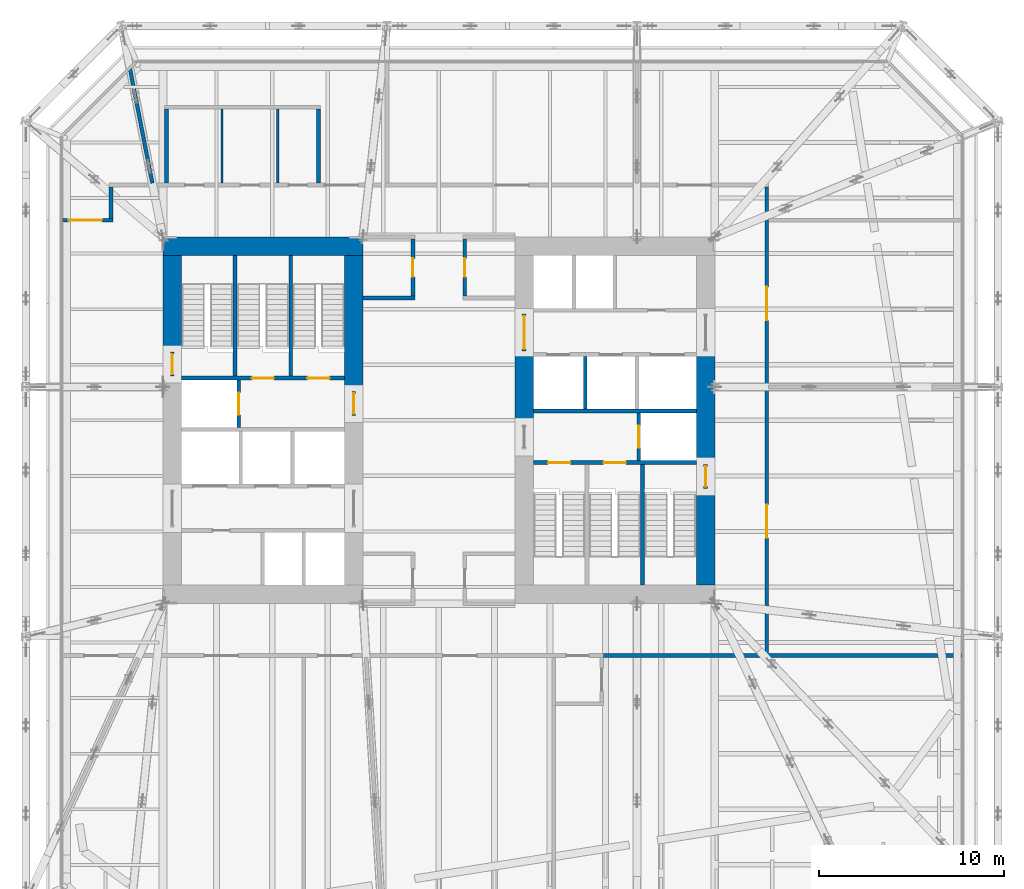
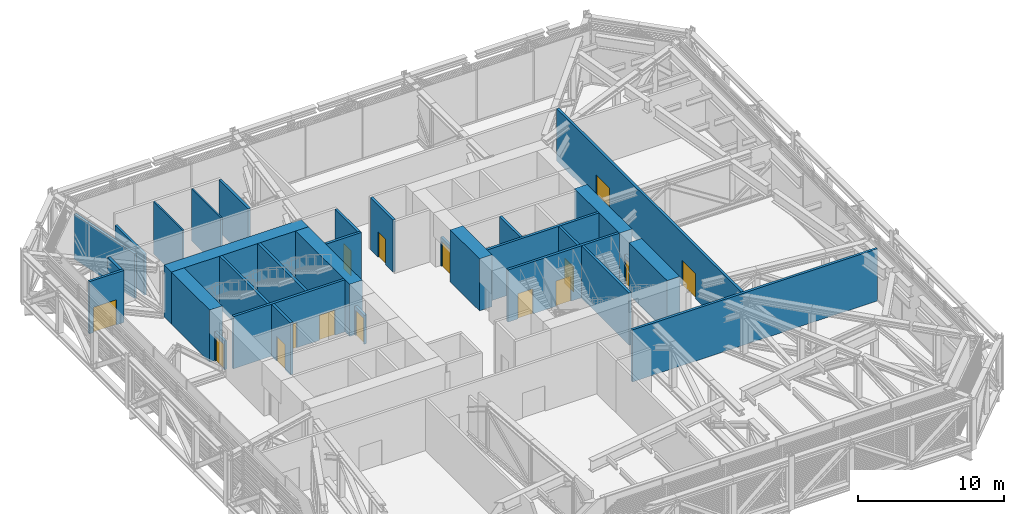
# One storey, part 22 of 31: 31 walls, 15 doors, 15 openings.
"""IFC4 building model written with IfcOpenShell, lengths in metres."""

from ifc_helpers import new_model, si_unit, direction, frame, frame_2d, origin, place, context, subcontext, project, spatial, rectangle, extrude, material, layer, layer_set, type_object, element, fill, save


model = new_model("IFC4")

# Units and contexts
model_context = context("Model", 3, precision=1e-05, world=origin(), true_north=direction((0.0, 1.0)))
body_context = subcontext(model_context, "Body", "Model", "MODEL_VIEW")
ifc_project = project(units=[si_unit("LENGTHUNIT", "METRE"), si_unit("AREAUNIT", "SQUARE_METRE"), si_unit("VOLUMEUNIT", "CUBIC_METRE"), si_unit("PLANEANGLEUNIT", "RADIAN"), si_unit("MASSUNIT", "GRAM", prefix="KILO")], contexts=[model_context])

# Site, building, storey
site_placement = place(None, origin())
site = spatial("IfcSite", under=ifc_project, at=site_placement, CompositionType="ELEMENT")
building_placement = place(site_placement, origin())
building = spatial("IfcBuilding", under=site, at=building_placement, Name="Millrace Tower", CompositionType="ELEMENT")
storey_placement = place(building_placement, frame((0.0, 0.0, 120.39990234375)))
storey = spatial("IfcBuildingStorey", under=building, at=storey_placement, Name="L26", CompositionType="ELEMENT", Elevation=120.39990234375)

# Walls
ifc_material_1 = material(Name="Concrete C80", Category="concrete")
ifc_layer_1 = layer(ifc_material_1, 1.0)
ifc_layer_set_1 = layer_set([ifc_layer_1], Name="Concrete C80")
wall_type_1 = type_object("IfcWallType", Name="Core wall 1000 Concrete C80", PredefinedType="SHEAR", material=ifc_layer_set_1)
wall_1_placement = place(storey_placement, frame((-14.89990234375, 9.39990234375, 0.0), z_axis=(0.0, 0.0, 1.0), x_axis=(1.0, 0.0, 0.0)))
element("IfcWall", 1, at=wall_1_placement, inside=storey, type_object=wall_type_1, Name="Core wall W L26", PredefinedType="SHEAR", context=body_context, shape_type="SweptSolid", body=[
    extrude(rectangle(XDim=10.7998046875, YDim=1.0, at=frame_2d((5.39990234375, 0.0))), origin(), (0.0, 0.0, 1.0), 4.340087890625),
])
wall_2_placement = place(storey_placement, frame((-14.39990234375, 3.679931640625, 0.0), z_axis=(0.0, 0.0, 1.0), x_axis=(0.0, 1.0, 0.0)))
element("IfcWall", 2, at=wall_2_placement, inside=storey, type_object=wall_type_1, Name="Core wall W L26", PredefinedType="SHEAR", context=body_context, shape_type="SweptSolid", body=[
    extrude(rectangle(XDim=5.219970703125, YDim=1.0, at=frame_2d((2.60986328125, 0.0))), origin(), (0.0, 0.0, 1.0), 4.340087890625),
])
wall_3_placement = place(storey_placement, frame((-4.60009765625, 1.550048828125, 0.0), z_axis=(0.0, 0.0, 1.0), x_axis=(0.0, 1.0, 0.0)))
element("IfcWall", 3, at=wall_3_placement, inside=storey, type_object=wall_type_1, Name="Core wall W L26", PredefinedType="SHEAR", context=body_context, shape_type="SweptSolid", body=[
    extrude(rectangle(XDim=7.349853515625, YDim=1.0, at=frame_2d((3.6748046875, 0.0))), origin(), (0.0, 0.0, 1.0), 4.340087890625),
])
wall_4_placement = place(storey_placement, frame((14.39990234375, 3.75, 0.0), z_axis=(0.0, 0.0, 1.0), x_axis=(0.0, -1.0, 0.0)))
element("IfcWall", 4, at=wall_4_placement, inside=storey, type_object=wall_type_1, Name="Core wall E L26", PredefinedType="SHEAR", context=body_context, shape_type="SweptSolid", body=[
    extrude(rectangle(XDim=6.1298828125, YDim=1.0, at=frame_2d((3.06494140625, 0.0))), origin(), (0.0, 0.0, 1.0), 4.340087890625),
])
wall_5_placement = place(storey_placement, frame((14.39990234375, -3.679931640625, 0.0), z_axis=(0.0, 0.0, 1.0), x_axis=(0.0, -1.0, 0.0)))
element("IfcWall", 5, at=wall_5_placement, inside=storey, type_object=wall_type_1, Name="Core wall E L26", PredefinedType="SHEAR", context=body_context, shape_type="SweptSolid", body=[
    extrude(rectangle(XDim=5.219970703125, YDim=1.0, at=frame_2d((2.60986328125, 0.0))), origin(), (0.0, 0.0, 1.0), 4.340087890625),
])
wall_6_placement = place(storey_placement, frame((4.60009765625, 3.75, 0.0), z_axis=(0.0, 0.0, 1.0), x_axis=(0.0, -1.0, 0.0)))
element("IfcWall", 6, at=wall_6_placement, inside=storey, type_object=wall_type_1, Name="Core wall E L26", PredefinedType="SHEAR", context=body_context, shape_type="SweptSolid", body=[
    extrude(rectangle(XDim=4.0, YDim=1.0, at=frame_2d((2.0, 0.0))), origin(), (0.0, 0.0, 1.0), 4.340087890625),
])
ifc_material_2 = material(Name="Masonry partition, fire-rated", Category="masonry")
ifc_layer_2 = layer(ifc_material_2, 0.199951171875)
ifc_layer_set_2 = layer_set([ifc_layer_2], Name="Masonry partition, fire-rated")
wall_type_2 = type_object("IfcWallType", Name="Corridor wall 200", PredefinedType="PARTITIONING", material=ifc_layer_set_2)
wall_7_placement = place(storey_placement, frame((-16.6728515625, 18.969482421875, 0.0), z_axis=(0.0, 0.0, 1.0), x_axis=(0.191831771799, -0.981427822781, 0.0)))
element("IfcWall", 7, at=wall_7_placement, inside=storey, type_object=wall_type_2, Name="Corridor wall L26", PredefinedType="PARTITIONING", context=body_context, shape_type="SweptSolid", body=[
    extrude(rectangle(XDim=6.281982421875, YDim=0.199951171875, at=frame_2d((3.14111328125, 0.0))), origin(), (0.0, 0.0, 1.0), 3.7421875),
])
wall_8_placement = place(storey_placement, frame((-4.10009765625, 6.60009765625, 0.0), z_axis=(0.0, 0.0, 1.0), x_axis=(1.0, 0.0, 0.0)))
element("IfcWall", 8, at=wall_8_placement, inside=storey, type_object=wall_type_2, Name="Corridor wall L26", PredefinedType="PARTITIONING", context=body_context, shape_type="SweptSolid", body=[
    extrude(rectangle(XDim=2.800048828125, YDim=0.199951171875, at=frame_2d((1.39990234375, 0.0))), origin(), (0.0, 0.0, 1.0), 4.340087890625),
])

# Wall, opening, door
wall_9_placement = place(storey_placement, frame((-20.330078125, 10.800048828125, 0.0), z_axis=(0.0, 0.0, 1.0), x_axis=(1.0, 0.0, 0.0)))
wall_9 = element("IfcWall", 9, at=wall_9_placement, inside=storey, type_object=wall_type_2, Name="Corridor wall L26", PredefinedType="PARTITIONING", context=body_context, shape_type="SweptSolid", body=[
    extrude(rectangle(XDim=2.72998046875, YDim=0.199951171875, at=frame_2d((1.364990234375, 0.0))), origin(), (0.0, 0.0, 1.0), 4.340087890625),
])
opening_1_placement = place(wall_9_placement, frame((0.340087890625, 0.0, 0.0)))
opening_1 = element("IfcOpeningElement", 10, at=opening_1_placement, cuts=wall_9, Name="Opening 26-P011", PredefinedType="OPENING", context=body_context, shape_type="SweptSolid", body=[
    extrude(rectangle(XDim=1.800048828125, YDim=2.10009765625, at=frame_2d((0.89990234375, 1.050048828125))), frame((0.0, 0.10986328125, 0.0), z_axis=(0.0, -1.0, 0.0), x_axis=(1.0, 0.0, 0.0)), (0.0, 0.0, 1.0), 0.219970703125),
])
ifc_material_3 = material(Name="Steel door set, fire-rated", Category="steel")
door_type_1 = type_object("IfcDoorType", Name="Plant room door 1800 x 2100", OperationType="DOUBLE_DOOR_SINGLE_SWING", PredefinedType="DOOR", material=ifc_material_3)
door_1_placement = place(opening_1_placement, origin())
door_1 = element("IfcDoor", 11, at=door_1_placement, inside=storey, type_object=door_type_1, Name="Door 26-P011", OperationType="DOUBLE_DOOR_SINGLE_SWING", OverallHeight=2.10009765625, OverallWidth=1.800048828125, PredefinedType="DOOR", context=body_context, shape_type="SweptSolid", body=[
    extrude(rectangle(XDim=1.800048828125, YDim=2.10009765625, at=frame_2d((0.89990234375, 1.050048828125))), frame((0.0, 0.02490234375, 0.0), z_axis=(0.0, -1.0, 0.0), x_axis=(1.0, 0.0, 0.0)), (0.0, 0.0, 1.0), 0.050048828125),
])
fill(opening_1, door_1)

# Wall, openings, doors
wall_10_placement = place(storey_placement, frame((17.699951171875, -12.60009765625, 0.0), z_axis=(0.0, 0.0, 1.0), x_axis=(0.0, 1.0, 0.0)))
wall_10 = element("IfcWall", 12, at=wall_10_placement, inside=storey, type_object=wall_type_2, Name="Corridor wall L26", PredefinedType="PARTITIONING", context=body_context, shape_type="SweptSolid", body=[
    extrude(rectangle(XDim=25.2001953125, YDim=0.199951171875, at=frame_2d((12.60009765625, 0.0))), origin(), (0.0, 0.0, 1.0), 4.340087890625),
])
opening_2_placement = place(wall_10_placement, frame((6.25, 0.0, 0.0)))
opening_2 = element("IfcOpeningElement", 13, at=opening_2_placement, cuts=wall_10, Name="Opening 26-P018", PredefinedType="OPENING", context=body_context, shape_type="SweptSolid", body=[
    extrude(rectangle(XDim=1.800048828125, YDim=2.10009765625, at=frame_2d((0.89990234375, 1.050048828125))), frame((0.0, 0.10986328125, 0.0), z_axis=(0.0, -1.0, 0.0), x_axis=(1.0, 0.0, 0.0)), (0.0, 0.0, 1.0), 0.219970703125),
])
opening_3_placement = place(wall_10_placement, frame((18.0, 0.0, 0.0)))
opening_3 = element("IfcOpeningElement", 14, at=opening_3_placement, cuts=wall_10, Name="Opening 26-P019", PredefinedType="OPENING", context=body_context, shape_type="SweptSolid", body=[
    extrude(rectangle(XDim=1.800048828125, YDim=2.10009765625, at=frame_2d((0.89990234375, 1.050048828125))), frame((0.0, 0.10986328125, 0.0), z_axis=(0.0, -1.0, 0.0), x_axis=(1.0, 0.0, 0.0)), (0.0, 0.0, 1.0), 0.219970703125),
])
door_2_placement = place(opening_2_placement, frame((1.800048828125, 0.0, 0.0), z_axis=(0.0, 0.0, 1.0), x_axis=(-1.0, 0.0, 0.0)))
door_2 = element("IfcDoor", 15, at=door_2_placement, inside=storey, type_object=door_type_1, Name="Door 26-P018", OperationType="DOUBLE_DOOR_SINGLE_SWING", OverallHeight=2.10009765625, OverallWidth=1.800048828125, PredefinedType="DOOR", context=body_context, shape_type="SweptSolid", body=[
    extrude(rectangle(XDim=1.800048828125, YDim=2.10009765625, at=frame_2d((0.89990234375, 1.050048828125))), frame((0.0, 0.02490234375, 0.0), z_axis=(0.0, -1.0, 0.0), x_axis=(1.0, 0.0, 0.0)), (0.0, 0.0, 1.0), 0.050048828125),
])
fill(opening_2, door_2)
door_3_placement = place(opening_3_placement, frame((1.800048828125, 0.0, 0.0), z_axis=(0.0, 0.0, 1.0), x_axis=(-1.0, 0.0, 0.0)))
door_3 = element("IfcDoor", 16, at=door_3_placement, inside=storey, type_object=door_type_1, Name="Door 26-P019", OperationType="DOUBLE_DOOR_SINGLE_SWING", OverallHeight=2.10009765625, OverallWidth=1.800048828125, PredefinedType="DOOR", context=body_context, shape_type="SweptSolid", body=[
    extrude(rectangle(XDim=1.800048828125, YDim=2.10009765625, at=frame_2d((0.89990234375, 1.050048828125))), frame((0.0, 0.02490234375, 0.0), z_axis=(0.0, -1.0, 0.0), x_axis=(1.0, 0.0, 0.0)), (0.0, 0.0, 1.0), 0.050048828125),
])
fill(opening_3, door_3)

# Wall, opening, door
wall_11_placement = place(storey_placement, frame((1.39990234375, 6.699951171875, 0.0), z_axis=(0.0, 0.0, 1.0), x_axis=(0.0, 1.0, 0.0)))
wall_11 = element("IfcWall", 17, at=wall_11_placement, inside=storey, type_object=wall_type_2, Name="Corridor wall L26", PredefinedType="PARTITIONING", context=body_context, shape_type="SweptSolid", body=[
    extrude(rectangle(XDim=3.10009765625, YDim=0.199951171875, at=frame_2d((1.550048828125, 0.0))), origin(), (0.0, 0.0, 1.0), 4.340087890625),
])
opening_4_placement = place(wall_11_placement, frame((1.050048828125, 0.0, 0.0)))
opening_4 = element("IfcOpeningElement", 18, at=opening_4_placement, cuts=wall_11, Name="Opening 26-P002", PredefinedType="OPENING", context=body_context, shape_type="SweptSolid", body=[
    extrude(rectangle(XDim=1.0, YDim=2.10009765625, at=frame_2d((0.5, 1.050048828125))), frame((0.0, 0.10986328125, 0.0), z_axis=(0.0, -1.0, 0.0), x_axis=(1.0, 0.0, 0.0)), (0.0, 0.0, 1.0), 0.219970703125),
])
ifc_material_4 = material(Name="Steel door set, fire-rated", Category="steel")
door_type_2 = type_object("IfcDoorType", Name="Corridor door 1000 x 2100", OperationType="SINGLE_SWING_LEFT", PredefinedType="DOOR", material=ifc_material_4)
door_4_placement = place(opening_4_placement, frame((1.0, 0.0, 0.0), z_axis=(0.0, 0.0, 1.0), x_axis=(-1.0, 0.0, 0.0)))
door_4 = element("IfcDoor", 19, at=door_4_placement, inside=storey, type_object=door_type_2, Name="Door 26-P002", OperationType="SINGLE_SWING_LEFT", OverallHeight=2.10009765625, OverallWidth=1.0, PredefinedType="DOOR", context=body_context, shape_type="SweptSolid", body=[
    extrude(rectangle(XDim=1.0, YDim=2.10009765625, at=frame_2d((0.5, 1.050048828125))), frame((0.0, 0.02490234375, 0.0), z_axis=(0.0, -1.0, 0.0), x_axis=(1.0, 0.0, 0.0)), (0.0, 0.0, 1.0), 0.050048828125),
])
fill(opening_4, door_4)

wall_12_placement = place(storey_placement, frame((-1.39990234375, 6.699951171875, 0.0), z_axis=(0.0, 0.0, 1.0), x_axis=(0.0, 1.0, 0.0)))
wall_12 = element("IfcWall", 20, at=wall_12_placement, inside=storey, type_object=wall_type_2, Name="Corridor wall L26", PredefinedType="PARTITIONING", context=body_context, shape_type="SweptSolid", body=[
    extrude(rectangle(XDim=3.10009765625, YDim=0.199951171875, at=frame_2d((1.550048828125, 0.0))), origin(), (0.0, 0.0, 1.0), 4.340087890625),
])
opening_5_placement = place(wall_12_placement, frame((1.050048828125, 0.0, 0.0)))
opening_5 = element("IfcOpeningElement", 21, at=opening_5_placement, cuts=wall_12, Name="Opening 26-P001", PredefinedType="OPENING", context=body_context, shape_type="SweptSolid", body=[
    extrude(rectangle(XDim=1.0, YDim=2.10009765625, at=frame_2d((0.5, 1.050048828125))), frame((0.0, 0.10986328125, 0.0), z_axis=(0.0, -1.0, 0.0), x_axis=(1.0, 0.0, 0.0)), (0.0, 0.0, 1.0), 0.219970703125),
])
door_5_placement = place(opening_5_placement, origin())
door_5 = element("IfcDoor", 22, at=door_5_placement, inside=storey, type_object=door_type_2, Name="Door 26-P001", OperationType="SINGLE_SWING_RIGHT", OverallHeight=2.10009765625, OverallWidth=1.0, PredefinedType="DOOR", context=body_context, shape_type="SweptSolid", body=[
    extrude(rectangle(XDim=1.0, YDim=2.10009765625, at=frame_2d((0.5, 1.050048828125))), frame((0.0, 0.02490234375, 0.0), z_axis=(0.0, -1.0, 0.0), x_axis=(1.0, 0.0, 0.0)), (0.0, 0.0, 1.0), 0.050048828125),
])
fill(opening_5, door_5)

# Walls
wall_13_placement = place(storey_placement, frame((-6.5, 12.800048828125, 0.0), z_axis=(0.0, 0.0, 1.0), x_axis=(0.0, 1.0, 0.0)))
element("IfcWall", 23, at=wall_13_placement, inside=storey, type_object=wall_type_2, Name="Corridor wall L26", PredefinedType="PARTITIONING", context=body_context, shape_type="SweptSolid", body=[
    extrude(rectangle(XDim=4.0, YDim=0.199951171875, at=frame_2d((2.0, 0.0))), origin(), (0.0, 0.0, 1.0), 4.340087890625),
])
wall_14_placement = place(storey_placement, frame((-14.699951171875, 12.800048828125, 0.0), z_axis=(0.0, 0.0, 1.0), x_axis=(0.0, 1.0, 0.0)))
element("IfcWall", 24, at=wall_14_placement, inside=storey, type_object=wall_type_2, Name="Corridor wall L26", PredefinedType="PARTITIONING", context=body_context, shape_type="SweptSolid", body=[
    extrude(rectangle(XDim=4.0, YDim=0.199951171875, at=frame_2d((2.0, 0.0))), origin(), (0.0, 0.0, 1.0), 3.4130859375),
])
wall_15_placement = place(storey_placement, frame((-17.699951171875, 10.89990234375, 0.0), z_axis=(0.0, 0.0, 1.0), x_axis=(0.0, 1.0, 0.0)))
element("IfcWall", 25, at=wall_15_placement, inside=storey, type_object=wall_type_2, Name="Corridor wall L26", PredefinedType="PARTITIONING", context=body_context, shape_type="SweptSolid", body=[
    extrude(rectangle(XDim=1.7001953125, YDim=0.199951171875, at=frame_2d((0.85009765625, 0.0))), origin(), (0.0, 0.0, 1.0), 4.340087890625),
])

# Wall, opening, door
ifc_material_5 = material(Name="Masonry partition, fire-rated", Category="masonry")
ifc_layer_3 = layer(ifc_material_5, 0.199951171875)
ifc_layer_set_3 = layer_set([ifc_layer_3], Name="Masonry partition, fire-rated")
wall_type_3 = type_object("IfcWallType", Name="Lift shaft wall 200", PredefinedType="PARTITIONING", material=ifc_layer_set_3)
wall_16_placement = place(storey_placement, frame((-10.800048828125, -0.39990234375, 0.0), z_axis=(0.0, 0.0, 1.0), x_axis=(0.0, 1.0, 0.0)))
wall_16 = element("IfcWall", 26, at=wall_16_placement, inside=storey, type_object=wall_type_3, Name="Lift shaft wall W L26", PredefinedType="PARTITIONING", context=body_context, shape_type="SweptSolid", body=[
    extrude(rectangle(XDim=2.579833984375, YDim=0.199951171875, at=frame_2d((1.2900390625, 0.0))), origin(), (0.0, 0.0, 1.0), 4.340087890625),
])
opening_6_placement = place(wall_16_placement, frame((0.68994140625, 0.0, 0.0)))
opening_6 = element("IfcOpeningElement", 27, at=opening_6_placement, cuts=wall_16, Name="Opening 26-LD08", PredefinedType="OPENING", context=body_context, shape_type="SweptSolid", body=[
    extrude(rectangle(XDim=1.199951171875, YDim=2.10009765625, at=frame_2d((0.60009765625, 1.050048828125))), frame((0.0, 0.10986328125, 0.0), z_axis=(0.0, -1.0, 0.0), x_axis=(1.0, 0.0, 0.0)), (0.0, 0.0, 1.0), 0.219970703125),
])
ifc_material_6 = material(Name="Stainless steel, fire-rated", Category="steel")
door_type_3 = type_object("IfcDoorType", Name="Lift landing door 1200 x 2100", OperationType="DOUBLE_DOOR_SLIDING", PredefinedType="DOOR", material=ifc_material_6)
door_6_placement = place(opening_6_placement, origin())
door_6 = element("IfcDoor", 28, at=door_6_placement, inside=storey, type_object=door_type_3, Name="Lift landing door LF8 L26", OperationType="DOUBLE_DOOR_SLIDING", OverallHeight=2.10009765625, OverallWidth=1.199951171875, PredefinedType="DOOR", context=body_context, shape_type="SweptSolid", body=[
    extrude(rectangle(XDim=1.199951171875, YDim=2.10009765625, at=frame_2d((0.60009765625, 1.050048828125))), frame((0.0, 0.02490234375, 0.0), z_axis=(0.0, -1.0, 0.0), x_axis=(1.0, 0.0, 0.0)), (0.0, 0.0, 1.0), 0.050048828125),
])
fill(opening_6, door_6)

# Wall
wall_17_placement = place(storey_placement, frame((13.89990234375, 0.5, 0.0), z_axis=(0.0, 0.0, 1.0), x_axis=(-1.0, 0.0, 0.0)))
element("IfcWall", 29, at=wall_17_placement, inside=storey, type_object=wall_type_3, Name="Lift shaft wall E L26", PredefinedType="PARTITIONING", context=body_context, shape_type="SweptSolid", body=[
    extrude(rectangle(XDim=8.7998046875, YDim=0.199951171875, at=frame_2d((4.39990234375, 0.0))), origin(), (0.0, 0.0, 1.0), 4.340087890625),
])

# Wall, opening, door
wall_18_placement = place(storey_placement, frame((10.800048828125, 0.39990234375, 0.0), z_axis=(0.0, 0.0, 1.0), x_axis=(0.0, -1.0, 0.0)))
wall_18 = element("IfcWall", 30, at=wall_18_placement, inside=storey, type_object=wall_type_3, Name="Lift shaft wall E L26", PredefinedType="PARTITIONING", context=body_context, shape_type="SweptSolid", body=[
    extrude(rectangle(XDim=2.579833984375, YDim=0.199951171875, at=frame_2d((1.2900390625, 0.0))), origin(), (0.0, 0.0, 1.0), 4.340087890625),
])
opening_7_placement = place(wall_18_placement, frame((0.68994140625, 0.0, 0.0)))
opening_7 = element("IfcOpeningElement", 31, at=opening_7_placement, cuts=wall_18, Name="Opening 26-LD16", PredefinedType="OPENING", context=body_context, shape_type="SweptSolid", body=[
    extrude(rectangle(XDim=1.199951171875, YDim=2.10009765625, at=frame_2d((0.60009765625, 1.050048828125))), frame((0.0, 0.10986328125, 0.0), z_axis=(0.0, -1.0, 0.0), x_axis=(1.0, 0.0, 0.0)), (0.0, 0.0, 1.0), 0.219970703125),
])
door_7_placement = place(opening_7_placement, origin())
door_7 = element("IfcDoor", 32, at=door_7_placement, inside=storey, type_object=door_type_3, Name="Lift landing door LF16 L26", OperationType="DOUBLE_DOOR_SLIDING", OverallHeight=2.10009765625, OverallWidth=1.199951171875, PredefinedType="DOOR", context=body_context, shape_type="SweptSolid", body=[
    extrude(rectangle(XDim=1.199951171875, YDim=2.10009765625, at=frame_2d((0.60009765625, 1.050048828125))), frame((0.0, 0.02490234375, 0.0), z_axis=(0.0, -1.0, 0.0), x_axis=(1.0, 0.0, 0.0)), (0.0, 0.0, 1.0), 0.050048828125),
])
fill(opening_7, door_7)

# Wall
wall_19_placement = place(storey_placement, frame((7.89990234375, 3.449951171875, 0.0), z_axis=(0.0, 0.0, 1.0), x_axis=(0.0, -1.0, 0.0)))
element("IfcWall", 33, at=wall_19_placement, inside=storey, type_object=wall_type_3, Name="Lift shaft wall E L26", PredefinedType="PARTITIONING", context=body_context, shape_type="SweptSolid", body=[
    extrude(rectangle(XDim=2.849853515625, YDim=0.199951171875, at=frame_2d((1.4248046875, 0.0))), origin(), (0.0, 0.0, 1.0), 4.340087890625),
])

# Wall, opening, door
ifc_material_7 = material(Name="Masonry partition, fire-rated", Category="masonry")
ifc_layer_4 = layer(ifc_material_7, 0.199951171875)
ifc_layer_set_4 = layer_set([ifc_layer_4], Name="Masonry partition, fire-rated")
wall_type_4 = type_object("IfcWallType", Name="Lobby wall 200", PredefinedType="PARTITIONING", material=ifc_layer_set_4)
wall_20_placement = place(storey_placement, frame((-4.60009765625, 0.25, 0.0), z_axis=(0.0, 0.0, 1.0), x_axis=(0.0, 1.0, 0.0)))
wall_20 = element("IfcWall", 34, at=wall_20_placement, inside=storey, type_object=wall_type_4, Name="Lobby wall W L26", PredefinedType="PARTITIONING", context=body_context, shape_type="SweptSolid", body=[
    extrude(rectangle(XDim=1.300048828125, YDim=0.199951171875, at=frame_2d((0.64990234375, 0.0))), origin(), (0.0, 0.0, 1.0), 2.400146484375),
])
opening_8_placement = place(wall_20_placement, frame((0.10009765625, 0.0, 0.0)))
opening_8 = element("IfcOpeningElement", 35, at=opening_8_placement, cuts=wall_20, Name="Opening 26-C004", PredefinedType="OPENING", context=body_context, shape_type="SweptSolid", body=[
    extrude(rectangle(XDim=1.10009765625, YDim=2.10009765625, at=frame_2d((0.550048828125, 1.050048828125))), frame((0.0, 0.10986328125, 0.0), z_axis=(0.0, -1.0, 0.0), x_axis=(1.0, 0.0, 0.0)), (0.0, 0.0, 1.0), 0.219970703125),
])
ifc_material_8 = material(Name="Steel door, fire-rated", Category="steel")
door_type_4 = type_object("IfcDoorType", Name="Lobby door 1100 x 2100", OperationType="SINGLE_SWING_LEFT", PredefinedType="DOOR", material=ifc_material_8)
door_8_placement = place(opening_8_placement, origin())
door_8 = element("IfcDoor", 36, at=door_8_placement, inside=storey, type_object=door_type_4, Name="Lobby door 26-C004", OperationType="SINGLE_SWING_LEFT", OverallHeight=2.10009765625, OverallWidth=1.10009765625, PredefinedType="DOOR", context=body_context, shape_type="SweptSolid", body=[
    extrude(rectangle(XDim=1.10009765625, YDim=2.10009765625, at=frame_2d((0.550048828125, 1.050048828125))), frame((0.0, 0.02490234375, 0.0), z_axis=(0.0, -1.0, 0.0), x_axis=(1.0, 0.0, 0.0)), (0.0, 0.0, 1.0), 0.050048828125),
])
fill(opening_8, door_8)

wall_21_placement = place(storey_placement, frame((4.60009765625, 5.75, 0.0), z_axis=(0.0, 0.0, 1.0), x_axis=(0.0, -1.0, 0.0)))
wall_21 = element("IfcWall", 37, at=wall_21_placement, inside=storey, type_object=wall_type_4, Name="Lobby wall E L26", PredefinedType="PARTITIONING", context=body_context, shape_type="SweptSolid", body=[
    extrude(rectangle(XDim=2.0, YDim=0.199951171875, at=frame_2d((1.0, 0.0))), origin(), (0.0, 0.0, 1.0), 2.400146484375),
])
opening_9_placement = place(wall_21_placement, frame((0.10009765625, 0.0, 0.0)))
opening_9 = element("IfcOpeningElement", 38, at=opening_9_placement, cuts=wall_21, Name="Opening 26-C010", PredefinedType="OPENING", context=body_context, shape_type="SweptSolid", body=[
    extrude(rectangle(XDim=1.800048828125, YDim=2.10009765625, at=frame_2d((0.89990234375, 1.050048828125))), frame((0.0, 0.10986328125, 0.0), z_axis=(0.0, -1.0, 0.0), x_axis=(1.0, 0.0, 0.0)), (0.0, 0.0, 1.0), 0.219970703125),
])
ifc_material_9 = material(Name="Steel door, fire-rated", Category="steel")
door_type_5 = type_object("IfcDoorType", Name="Lobby door 1800 x 2100", OperationType="DOUBLE_DOOR_SINGLE_SWING", PredefinedType="DOOR", material=ifc_material_9)
door_9_placement = place(opening_9_placement, origin())
door_9 = element("IfcDoor", 39, at=door_9_placement, inside=storey, type_object=door_type_5, Name="Lobby door 26-C010", OperationType="DOUBLE_DOOR_SINGLE_SWING", OverallHeight=2.10009765625, OverallWidth=1.800048828125, PredefinedType="DOOR", context=body_context, shape_type="SweptSolid", body=[
    extrude(rectangle(XDim=1.800048828125, YDim=2.10009765625, at=frame_2d((0.89990234375, 1.050048828125))), frame((0.0, 0.02490234375, 0.0), z_axis=(0.0, -1.0, 0.0), x_axis=(1.0, 0.0, 0.0)), (0.0, 0.0, 1.0), 0.050048828125),
])
fill(opening_9, door_9)

# Walls
ifc_material_10 = material(Name="Gypsum board partition")
ifc_layer_5 = layer(ifc_material_10, 0.1201171875)
ifc_layer_set_5 = layer_set([ifc_layer_5], Name="Gypsum board partition")
wall_type_5 = type_object("IfcWallType", Name="Partition wall 120", PredefinedType="PARTITIONING", material=ifc_layer_set_5)
for number, where, z_axis, x_axis, name in (
    (40, (-8.699951171875, 12.800048828125, 0.0), (0.0, 0.0, 1.0), (0.0, 1.0, 0.0), "Partition wall L26"),
    (41, (-11.699951171875, 12.800048828125, 0.0), (0.0, 0.0, 1.0), (0.0, 1.0, 0.0), "Partition wall L26"),
):
    element("IfcWall", number, at=place(storey_placement, frame(where, z_axis=z_axis, x_axis=x_axis)), inside=storey, type_object=wall_type_5, Name=name, PredefinedType="PARTITIONING", context=body_context, shape_type="SweptSolid", body=[
        extrude(rectangle(XDim=4.0, YDim=0.1201171875, at=frame_2d((2.0, 0.0))), origin(), (0.0, 0.0, 1.0), 4.340087890625),
    ])
ifc_material_11 = material(Name="Masonry partition, fire-rated", Category="masonry")
ifc_layer_6 = layer(ifc_material_11, 0.199951171875)
ifc_layer_set_6 = layer_set([ifc_layer_6], Name="Masonry partition, fire-rated")
wall_type_6 = type_object("IfcWallType", Name="Refuge area wall 200", PredefinedType="PARTITIONING", material=ifc_layer_set_6)
wall_22_placement = place(storey_placement, frame((8.89990234375, -12.699951171875, 0.0), z_axis=(0.0, 0.0, 1.0), x_axis=(1.0, 0.0, 0.0)))
element("IfcWall", 42, at=wall_22_placement, inside=storey, type_object=wall_type_6, Name="Refuge area wall L26", PredefinedType="PARTITIONING", context=body_context, shape_type="SweptSolid", body=[
    extrude(rectangle(XDim=19.330078125, YDim=0.199951171875, at=frame_2d((9.6650390625, 0.0))), origin(), (0.0, 0.0, 1.0), 4.340087890625),
])

# Wall, opening, door
ifc_material_12 = material(Name="Concrete C40", Category="concrete")
ifc_layer_7 = layer(ifc_material_12, 0.199951171875)
ifc_layer_set_7 = layer_set([ifc_layer_7], Name="Concrete C40")
wall_type_7 = type_object("IfcWallType", Name="Stair enclosure wall 200 Concrete C40", PredefinedType="SHEAR", material=ifc_layer_set_7)
wall_23_placement = place(storey_placement, frame((-14.39990234375, 2.3798828125, 0.0), z_axis=(0.0, 0.0, 1.0), x_axis=(0.0, 1.0, 0.0)))
wall_23 = element("IfcWall", 43, at=wall_23_placement, inside=storey, type_object=wall_type_7, Name="Stair enclosure wall W L26", PredefinedType="SHEAR", context=body_context, shape_type="SweptSolid", body=[
    extrude(rectangle(XDim=1.300048828125, YDim=0.199951171875, at=frame_2d((0.64990234375, 0.0))), origin(), (0.0, 0.0, 1.0), 2.400146484375),
])
opening_10_placement = place(wall_23_placement, frame((0.10009765625, 0.0, 0.0)))
opening_10 = element("IfcOpeningElement", 44, at=opening_10_placement, cuts=wall_23, Name="Opening 26-C002", PredefinedType="OPENING", context=body_context, shape_type="SweptSolid", body=[
    extrude(rectangle(XDim=1.10009765625, YDim=2.10009765625, at=frame_2d((0.550048828125, 1.050048828125))), frame((0.0, 0.10986328125, 0.0), z_axis=(0.0, -1.0, 0.0), x_axis=(1.0, 0.0, 0.0)), (0.0, 0.0, 1.0), 0.219970703125),
])
ifc_material_13 = material(Name="Steel door, fire-rated", Category="steel")
door_type_6 = type_object("IfcDoorType", Name="Stair door 1100 x 2100", OperationType="SINGLE_SWING_LEFT", PredefinedType="DOOR", material=ifc_material_13)
door_10_placement = place(opening_10_placement, origin())
door_10 = element("IfcDoor", 45, at=door_10_placement, inside=storey, type_object=door_type_6, Name="Stair door 26-C002", OperationType="SINGLE_SWING_RIGHT", OverallHeight=2.10009765625, OverallWidth=1.10009765625, PredefinedType="DOOR", context=body_context, shape_type="SweptSolid", body=[
    extrude(rectangle(XDim=1.10009765625, YDim=2.10009765625, at=frame_2d((0.550048828125, 1.050048828125))), frame((0.0, 0.02490234375, 0.0), z_axis=(0.0, -1.0, 0.0), x_axis=(1.0, 0.0, 0.0)), (0.0, 0.0, 1.0), 0.050048828125),
])
fill(opening_10, door_10)

# Wall, openings, doors
wall_24_placement = place(storey_placement, frame((-13.89990234375, 2.280029296875, 0.0), z_axis=(0.0, 0.0, 1.0), x_axis=(1.0, 0.0, 0.0)))
wall_24 = element("IfcWall", 46, at=wall_24_placement, inside=storey, type_object=wall_type_7, Name="Stair enclosure wall W L26", PredefinedType="SHEAR", context=body_context, shape_type="SweptSolid", body=[
    extrude(rectangle(XDim=8.7998046875, YDim=0.199951171875, at=frame_2d((4.39990234375, 0.0))), origin(), (0.0, 0.0, 1.0), 4.340087890625),
])
opening_11_placement = place(wall_24_placement, frame((3.800048828125, 0.0, 0.0)))
opening_11 = element("IfcOpeningElement", 47, at=opening_11_placement, cuts=wall_24, Name="Opening 26-C006", PredefinedType="OPENING", context=body_context, shape_type="SweptSolid", body=[
    extrude(rectangle(XDim=1.199951171875, YDim=2.10009765625, at=frame_2d((0.60009765625, 1.050048828125))), frame((0.0, 0.10986328125, 0.0), z_axis=(0.0, -1.0, 0.0), x_axis=(1.0, 0.0, 0.0)), (0.0, 0.0, 1.0), 0.219970703125),
])
opening_12_placement = place(wall_24_placement, frame((6.800048828125, 0.0, 0.0)))
opening_12 = element("IfcOpeningElement", 48, at=opening_12_placement, cuts=wall_24, Name="Opening 26-C007", PredefinedType="OPENING", context=body_context, shape_type="SweptSolid", body=[
    extrude(rectangle(XDim=1.199951171875, YDim=2.10009765625, at=frame_2d((0.60009765625, 1.050048828125))), frame((0.0, 0.10986328125, 0.0), z_axis=(0.0, -1.0, 0.0), x_axis=(1.0, 0.0, 0.0)), (0.0, 0.0, 1.0), 0.219970703125),
])
ifc_material_14 = material(Name="Steel door, fire-rated", Category="steel")
door_type_7 = type_object("IfcDoorType", Name="Stair door 1200 x 2100", OperationType="SINGLE_SWING_LEFT", PredefinedType="DOOR", material=ifc_material_14)
door_11_placement = place(opening_11_placement, frame((1.199951171875, 0.0, 0.0), z_axis=(0.0, 0.0, 1.0), x_axis=(-1.0, 0.0, 0.0)))
door_11 = element("IfcDoor", 49, at=door_11_placement, inside=storey, type_object=door_type_7, Name="Stair door 26-C006", OperationType="SINGLE_SWING_LEFT", OverallHeight=2.10009765625, OverallWidth=1.199951171875, PredefinedType="DOOR", context=body_context, shape_type="SweptSolid", body=[
    extrude(rectangle(XDim=1.199951171875, YDim=2.10009765625, at=frame_2d((0.60009765625, 1.050048828125))), frame((0.0, 0.02490234375, 0.0), z_axis=(0.0, -1.0, 0.0), x_axis=(1.0, 0.0, 0.0)), (0.0, 0.0, 1.0), 0.050048828125),
])
fill(opening_11, door_11)
door_12_placement = place(opening_12_placement, frame((1.199951171875, 0.0, 0.0), z_axis=(0.0, 0.0, 1.0), x_axis=(-1.0, 0.0, 0.0)))
door_12 = element("IfcDoor", 50, at=door_12_placement, inside=storey, type_object=door_type_7, Name="Stair door 26-C007", OperationType="SINGLE_SWING_LEFT", OverallHeight=2.10009765625, OverallWidth=1.199951171875, PredefinedType="DOOR", context=body_context, shape_type="SweptSolid", body=[
    extrude(rectangle(XDim=1.199951171875, YDim=2.10009765625, at=frame_2d((0.60009765625, 1.050048828125))), frame((0.0, 0.02490234375, 0.0), z_axis=(0.0, -1.0, 0.0), x_axis=(1.0, 0.0, 0.0)), (0.0, 0.0, 1.0), 0.050048828125),
])
fill(opening_12, door_12)

# Walls
for number, where, z_axis, x_axis, name in (
    (51, (-11.0, 2.3798828125, 0.0), (0.0, 0.0, 1.0), (0.0, 1.0, 0.0), "Stair enclosure wall W L26"),
    (52, (-8.0, 2.3798828125, 0.0), (0.0, 0.0, 1.0), (0.0, 1.0, 0.0), "Stair enclosure wall W L26"),
):
    element("IfcWall", number, at=place(storey_placement, frame(where, z_axis=z_axis, x_axis=x_axis)), inside=storey, type_object=wall_type_7, Name=name, PredefinedType="SHEAR", context=body_context, shape_type="SweptSolid", body=[
        extrude(rectangle(XDim=6.52001953125, YDim=0.199951171875, at=frame_2d((3.260009765625, 0.0))), origin(), (0.0, 0.0, 1.0), 4.340087890625),
    ])

# Wall, opening, door
wall_25_placement = place(storey_placement, frame((14.39990234375, -2.3798828125, 0.0), z_axis=(0.0, 0.0, 1.0), x_axis=(0.0, -1.0, 0.0)))
wall_25 = element("IfcWall", 53, at=wall_25_placement, inside=storey, type_object=wall_type_7, Name="Stair enclosure wall E L26", PredefinedType="SHEAR", context=body_context, shape_type="SweptSolid", body=[
    extrude(rectangle(XDim=1.300048828125, YDim=0.199951171875, at=frame_2d((0.64990234375, 0.0))), origin(), (0.0, 0.0, 1.0), 2.400146484375),
])
opening_13_placement = place(wall_25_placement, frame((0.10009765625, 0.0, 0.0)))
opening_13 = element("IfcOpeningElement", 54, at=opening_13_placement, cuts=wall_25, Name="Opening 26-C009", PredefinedType="OPENING", context=body_context, shape_type="SweptSolid", body=[
    extrude(rectangle(XDim=1.10009765625, YDim=2.10009765625, at=frame_2d((0.550048828125, 1.050048828125))), frame((0.0, 0.10986328125, 0.0), z_axis=(0.0, -1.0, 0.0), x_axis=(1.0, 0.0, 0.0)), (0.0, 0.0, 1.0), 0.219970703125),
])
door_13_placement = place(opening_13_placement, origin())
door_13 = element("IfcDoor", 55, at=door_13_placement, inside=storey, type_object=door_type_6, Name="Stair door 26-C009", OperationType="SINGLE_SWING_RIGHT", OverallHeight=2.10009765625, OverallWidth=1.10009765625, PredefinedType="DOOR", context=body_context, shape_type="SweptSolid", body=[
    extrude(rectangle(XDim=1.10009765625, YDim=2.10009765625, at=frame_2d((0.550048828125, 1.050048828125))), frame((0.0, 0.02490234375, 0.0), z_axis=(0.0, -1.0, 0.0), x_axis=(1.0, 0.0, 0.0)), (0.0, 0.0, 1.0), 0.050048828125),
])
fill(opening_13, door_13)

# Wall, openings, doors
wall_26_placement = place(storey_placement, frame((13.89990234375, -2.280029296875, 0.0), z_axis=(0.0, 0.0, 1.0), x_axis=(-1.0, 0.0, 0.0)))
wall_26 = element("IfcWall", 56, at=wall_26_placement, inside=storey, type_object=wall_type_7, Name="Stair enclosure wall E L26", PredefinedType="SHEAR", context=body_context, shape_type="SweptSolid", body=[
    extrude(rectangle(XDim=8.7998046875, YDim=0.199951171875, at=frame_2d((4.39990234375, 0.0))), origin(), (0.0, 0.0, 1.0), 4.340087890625),
])
opening_14_placement = place(wall_26_placement, frame((3.800048828125, 0.0, 0.0)))
opening_14 = element("IfcOpeningElement", 57, at=opening_14_placement, cuts=wall_26, Name="Opening 26-C013", PredefinedType="OPENING", context=body_context, shape_type="SweptSolid", body=[
    extrude(rectangle(XDim=1.199951171875, YDim=2.10009765625, at=frame_2d((0.60009765625, 1.050048828125))), frame((0.0, 0.10986328125, 0.0), z_axis=(0.0, -1.0, 0.0), x_axis=(1.0, 0.0, 0.0)), (0.0, 0.0, 1.0), 0.219970703125),
])
opening_15_placement = place(wall_26_placement, frame((6.800048828125, 0.0, 0.0)))
opening_15 = element("IfcOpeningElement", 58, at=opening_15_placement, cuts=wall_26, Name="Opening 26-C014", PredefinedType="OPENING", context=body_context, shape_type="SweptSolid", body=[
    extrude(rectangle(XDim=1.199951171875, YDim=2.10009765625, at=frame_2d((0.60009765625, 1.050048828125))), frame((0.0, 0.10986328125, 0.0), z_axis=(0.0, -1.0, 0.0), x_axis=(1.0, 0.0, 0.0)), (0.0, 0.0, 1.0), 0.219970703125),
])
door_14_placement = place(opening_14_placement, frame((1.199951171875, 0.0, 0.0), z_axis=(0.0, 0.0, 1.0), x_axis=(-1.0, 0.0, 0.0)))
door_14 = element("IfcDoor", 59, at=door_14_placement, inside=storey, type_object=door_type_7, Name="Stair door 26-C013", OperationType="SINGLE_SWING_LEFT", OverallHeight=2.10009765625, OverallWidth=1.199951171875, PredefinedType="DOOR", context=body_context, shape_type="SweptSolid", body=[
    extrude(rectangle(XDim=1.199951171875, YDim=2.10009765625, at=frame_2d((0.60009765625, 1.050048828125))), frame((0.0, 0.02490234375, 0.0), z_axis=(0.0, -1.0, 0.0), x_axis=(1.0, 0.0, 0.0)), (0.0, 0.0, 1.0), 0.050048828125),
])
fill(opening_14, door_14)
door_15_placement = place(opening_15_placement, frame((1.199951171875, 0.0, 0.0), z_axis=(0.0, 0.0, 1.0), x_axis=(-1.0, 0.0, 0.0)))
door_15 = element("IfcDoor", 60, at=door_15_placement, inside=storey, type_object=door_type_7, Name="Stair door 26-C014", OperationType="SINGLE_SWING_LEFT", OverallHeight=2.10009765625, OverallWidth=1.199951171875, PredefinedType="DOOR", context=body_context, shape_type="SweptSolid", body=[
    extrude(rectangle(XDim=1.199951171875, YDim=2.10009765625, at=frame_2d((0.60009765625, 1.050048828125))), frame((0.0, 0.02490234375, 0.0), z_axis=(0.0, -1.0, 0.0), x_axis=(1.0, 0.0, 0.0)), (0.0, 0.0, 1.0), 0.050048828125),
])
fill(opening_15, door_15)

# Wall
wall_27_placement = place(storey_placement, frame((11.0, -2.3798828125, 0.0), z_axis=(0.0, 0.0, 1.0), x_axis=(0.0, -1.0, 0.0)))
element("IfcWall", 61, at=wall_27_placement, inside=storey, type_object=wall_type_7, Name="Stair enclosure wall E L26", PredefinedType="SHEAR", context=body_context, shape_type="SweptSolid", body=[
    extrude(rectangle(XDim=6.52001953125, YDim=0.199951171875, at=frame_2d((3.260009765625, 0.0))), origin(), (0.0, 0.0, 1.0), 4.340087890625),
])

save(model, "model.ifc")
